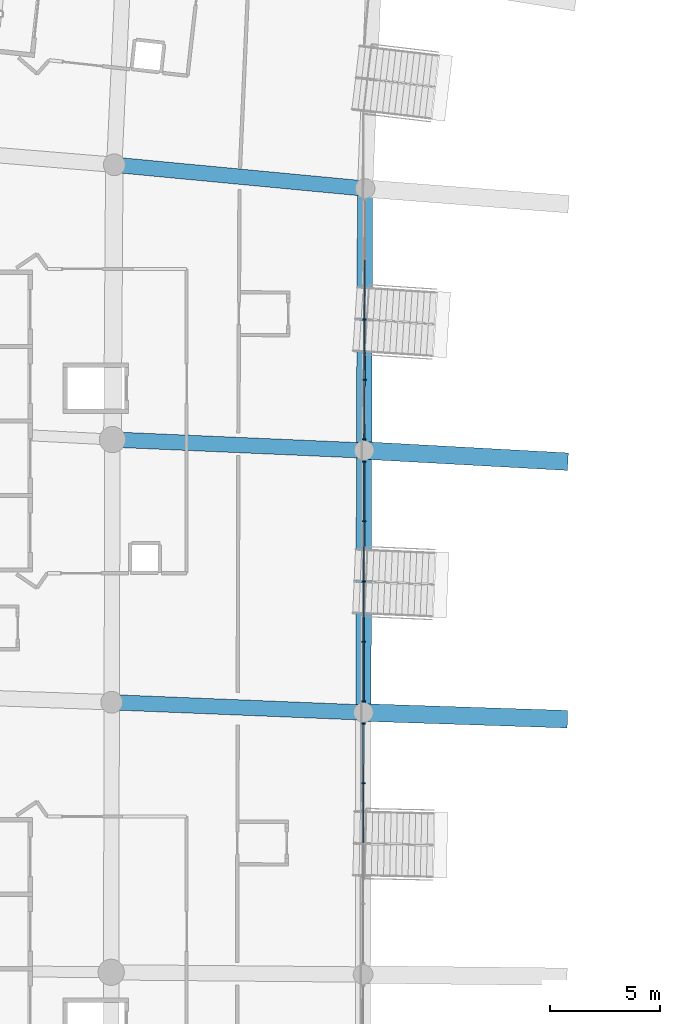
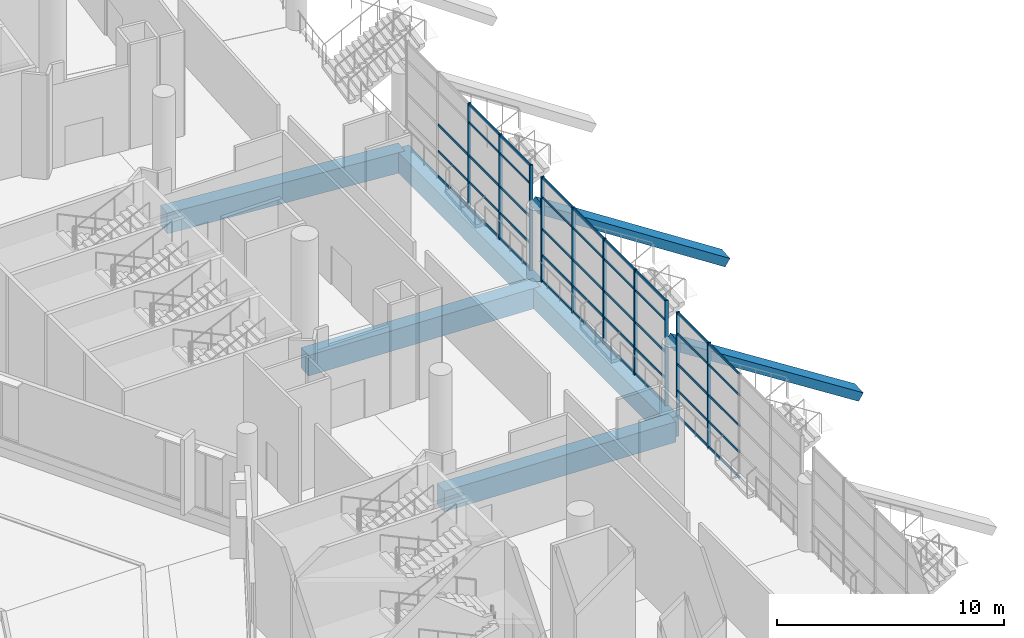
# One storey, part 15 of 173: 53 members, 7 beams, 3 elements without a shape of their own.
"""IFC4 building model written with IfcOpenShell, lengths in metres."""

from ifc_helpers import new_model, si_unit, direction, frame, origin, origin_2d, place, context, subcontext, project, spatial, rectangle, extrude, material, layer, layer_set, material_profile, profile_set, type_object, element, aggregate, save


model = new_model("IFC4")

# Units and contexts
model_context = context("Model", 3, precision=1e-05, world=origin(), true_north=direction((0.0, 1.0)))
body_context = subcontext(model_context, "Body", "Model", "MODEL_VIEW")
ifc_project = project(units=[si_unit("LENGTHUNIT", "METRE"), si_unit("AREAUNIT", "SQUARE_METRE"), si_unit("VOLUMEUNIT", "CUBIC_METRE"), si_unit("PLANEANGLEUNIT", "RADIAN"), si_unit("MASSUNIT", "GRAM", prefix="KILO")], contexts=[model_context])

# Site, building, storey
site_placement = place(None, origin())
site = spatial("IfcSite", under=ifc_project, at=site_placement, CompositionType="ELEMENT")
building_placement = place(site_placement, origin())
building = spatial("IfcBuilding", under=site, at=building_placement, Name="Meseta Stadium", CompositionType="ELEMENT")
storey_placement = place(building_placement, frame((0.0, 0.0, 18.0)))
storey = spatial("IfcBuildingStorey", under=building, at=storey_placement, Name="L03", CompositionType="ELEMENT", Elevation=18.0)

# Curtain wall, members
ifc_material_1 = material(Name="Aluminium", Category="aluminium")
ifc_layer = layer(ifc_material_1, 0.25)
ifc_layer_set = layer_set([ifc_layer], Name="Media Centre glazing curtain wall")
curtain_wall_type = type_object("IfcCurtainWallType", Name="Media Centre glazing curtain wall", PredefinedType="NOTDEFINED", material=ifc_layer_set)
curtain_wall_1_placement = place(storey_placement, origin())
curtain_wall_1 = element("IfcCurtainWall", 1, at=curtain_wall_1_placement, inside=storey, type_object=curtain_wall_type, Name="Media Centre glazing bay 29", PredefinedType="NOTDEFINED")
ifc_material_2 = material(Name="Aluminium", Category="aluminium")
ifc_material_profile_1 = material_profile(ifc_material_2, rectangle(XDim=0.159912109375, YDim=0.06005859375, at=origin_2d()), Name="CW 160x60")
ifc_profile_set_1 = profile_set([ifc_material_profile_1], Name="Aluminium")
member_type_1 = type_object("IfcMemberType", Name="CW mullion 60x160", PredefinedType="MULLION", material=ifc_profile_set_1)
member_1_placement = place(storey_placement, frame((-73.427978515625, 35.8828125, 0.0), z_axis=(0.0, 0.0, 1.0), x_axis=(0.999992414042, -0.003895107102, 0.0)))
member_1 = element("IfcMember", 2, at=member_1_placement, type_object=member_type_1, Name="CWM mullion 3", PredefinedType="MULLION", context=body_context, shape_type="SweptSolid", body=[
    extrude(rectangle(XDim=0.159912109375, YDim=0.06005859375, at=origin_2d()), origin(), (0.0, 0.0, 1.0), 5.64990234375),
])
member_2_placement = place(storey_placement, frame((-73.438720703125, 33.13330078125, 0.0), z_axis=(0.0, 0.0, 1.0), x_axis=(0.999992414042, -0.003895107102, 0.0)))
member_2 = element("IfcMember", 3, at=member_2_placement, type_object=member_type_1, Name="CWM mullion 4", PredefinedType="MULLION", context=body_context, shape_type="SweptSolid", body=[
    extrude(rectangle(XDim=0.159912109375, YDim=0.06005859375, at=origin_2d()), origin(), (0.0, 0.0, 1.0), 5.64990234375),
])
member_3_placement = place(storey_placement, frame((-73.44921875, 30.41357421875, 0.0), z_axis=(0.0, 0.0, 1.0), x_axis=(0.999992414042, -0.003895107102, 0.0)))
member_3 = element("IfcMember", 4, at=member_3_placement, type_object=member_type_1, Name="CWM mullion 5", PredefinedType="MULLION", context=body_context, shape_type="SweptSolid", body=[
    extrude(rectangle(XDim=0.159912109375, YDim=0.06005859375, at=origin_2d()), origin(), (0.0, 0.0, 1.0), 5.64990234375),
])

curtain_wall_2_placement = place(storey_placement, origin())
curtain_wall_2 = element("IfcCurtainWall", 5, at=curtain_wall_2_placement, inside=storey, type_object=curtain_wall_type, Name="Media Centre glazing bay 30", PredefinedType="NOTDEFINED")
member_4_placement = place(storey_placement, frame((-73.45263671875, 29.39453125, 0.0), z_axis=(0.0, 0.0, 1.0), x_axis=(0.999996605564, -0.002605544184, 0.0)))
member_4 = element("IfcMember", 6, at=member_4_placement, type_object=member_type_1, Name="CWM mullion 1", PredefinedType="MULLION", context=body_context, shape_type="SweptSolid", body=[
    extrude(rectangle(XDim=0.159912109375, YDim=0.06005859375, at=origin_2d()), origin(), (0.0, 0.0, 1.0), 5.64990234375),
])
member_5_placement = place(storey_placement, frame((-73.459716796875, 26.674072265625, 0.0), z_axis=(0.0, 0.0, 1.0), x_axis=(0.999996605564, -0.002605544184, 0.0)))
member_5 = element("IfcMember", 7, at=member_5_placement, type_object=member_type_1, Name="CWM mullion 2", PredefinedType="MULLION", context=body_context, shape_type="SweptSolid", body=[
    extrude(rectangle(XDim=0.159912109375, YDim=0.06005859375, at=origin_2d()), origin(), (0.0, 0.0, 1.0), 5.64990234375),
])
member_6_placement = place(storey_placement, frame((-73.466796875, 23.923583984375, 0.0), z_axis=(0.0, 0.0, 1.0), x_axis=(0.999996605564, -0.002605544184, 0.0)))
member_6 = element("IfcMember", 8, at=member_6_placement, type_object=member_type_1, Name="CWM mullion 3", PredefinedType="MULLION", context=body_context, shape_type="SweptSolid", body=[
    extrude(rectangle(XDim=0.159912109375, YDim=0.06005859375, at=origin_2d()), origin(), (0.0, 0.0, 1.0), 5.64990234375),
])
member_7_placement = place(storey_placement, frame((-73.47412109375, 21.173095703125, 0.0), z_axis=(0.0, 0.0, 1.0), x_axis=(0.999996605564, -0.002605544184, 0.0)))
member_7 = element("IfcMember", 9, at=member_7_placement, type_object=member_type_1, Name="CWM mullion 4", PredefinedType="MULLION", context=body_context, shape_type="SweptSolid", body=[
    extrude(rectangle(XDim=0.159912109375, YDim=0.06005859375, at=origin_2d()), origin(), (0.0, 0.0, 1.0), 5.64990234375),
])
member_8_placement = place(storey_placement, frame((-73.481201171875, 18.45263671875, 0.0), z_axis=(0.0, 0.0, 1.0), x_axis=(0.999996605564, -0.002605544184, 0.0)))
member_8 = element("IfcMember", 10, at=member_8_placement, type_object=member_type_1, Name="CWM mullion 5", PredefinedType="MULLION", context=body_context, shape_type="SweptSolid", body=[
    extrude(rectangle(XDim=0.159912109375, YDim=0.06005859375, at=origin_2d()), origin(), (0.0, 0.0, 1.0), 5.64990234375),
])

curtain_wall_3_placement = place(storey_placement, origin())
curtain_wall_3 = element("IfcCurtainWall", 11, at=curtain_wall_3_placement, inside=storey, type_object=curtain_wall_type, Name="Media Centre glazing bay 31", PredefinedType="NOTDEFINED")
member_9_placement = place(storey_placement, frame((-73.483154296875, 17.434326171875, 0.0), z_axis=(0.0, 0.0, 1.0), x_axis=(0.999999147931, -0.001305425729, 0.0)))
member_9 = element("IfcMember", 12, at=member_9_placement, type_object=member_type_1, Name="CWM mullion 1", PredefinedType="MULLION", context=body_context, shape_type="SweptSolid", body=[
    extrude(rectangle(XDim=0.159912109375, YDim=0.06005859375, at=origin_2d()), origin(), (0.0, 0.0, 1.0), 5.64990234375),
])
member_10_placement = place(storey_placement, frame((-73.486572265625, 14.71337890625, 0.0), z_axis=(0.0, 0.0, 1.0), x_axis=(0.999999147931, -0.001305425729, 0.0)))
member_10 = element("IfcMember", 13, at=member_10_placement, type_object=member_type_1, Name="CWM mullion 2", PredefinedType="MULLION", context=body_context, shape_type="SweptSolid", body=[
    extrude(rectangle(XDim=0.159912109375, YDim=0.06005859375, at=origin_2d()), origin(), (0.0, 0.0, 1.0), 5.64990234375),
])

# Member
ifc_material_3 = material(Name="Aluminium", Category="aluminium")
ifc_material_profile_2 = material_profile(ifc_material_3, rectangle(XDim=0.06005859375, YDim=0.1201171875, at=origin_2d()), Name="CW 60x120")
ifc_profile_set_2 = profile_set([ifc_material_profile_2], Name="Aluminium")
member_type_2 = type_object("IfcMemberType", Name="CW transom 60x120", PredefinedType="USERDEFINED", material=ifc_profile_set_2)
member_11_placement = place(storey_placement, frame((-73.41748046875, 38.602294921875, 0.06005859375), z_axis=(-0.00390338348, -0.99999238177, 0.0), x_axis=(0.99999238177, -0.00390338348, 0.0)))
member_11 = element("IfcMember", 14, at=member_11_placement, type_object=member_type_2, Name="CWM transom 2.1", ObjectType="TRANSOM", PredefinedType="USERDEFINED", context=body_context, shape_type="SweptSolid", body=[
    extrude(rectangle(XDim=0.06005859375, YDim=0.1201171875, at=origin_2d()), origin(), (0.0, 0.0, 1.0), 2.689453125),
])

member_12_placement = place(storey_placement, frame((-73.41748046875, 38.602294921875, 1.41259765625), z_axis=(-0.00390338348, -0.99999238177, 0.0), x_axis=(0.99999238177, -0.00390338348, 0.0)))
member_12 = element("IfcMember", 15, at=member_12_placement, type_object=member_type_2, Name="CWM transom 2.2", ObjectType="TRANSOM", PredefinedType="USERDEFINED", context=body_context, shape_type="SweptSolid", body=[
    extrude(rectangle(XDim=0.06005859375, YDim=0.1201171875, at=origin_2d()), origin(), (0.0, 0.0, 1.0), 2.689453125),
])

member_13_placement = place(storey_placement, frame((-73.41748046875, 38.602294921875, 2.824951171875), z_axis=(-0.00390338348, -0.99999238177, 0.0), x_axis=(0.99999238177, -0.00390338348, 0.0)))
member_13 = element("IfcMember", 16, at=member_13_placement, type_object=member_type_2, Name="CWM transom 2.3", ObjectType="TRANSOM", PredefinedType="USERDEFINED", context=body_context, shape_type="SweptSolid", body=[
    extrude(rectangle(XDim=0.06005859375, YDim=0.1201171875, at=origin_2d()), origin(), (0.0, 0.0, 1.0), 2.689453125),
])

member_14_placement = place(storey_placement, frame((-73.427978515625, 35.852783203125, 0.06005859375), z_axis=(-0.00390338348, -0.99999238177, 0.0), x_axis=(0.99999238177, -0.00390338348, 0.0)))
member_14 = element("IfcMember", 17, at=member_14_placement, type_object=member_type_2, Name="CWM transom 3.1", ObjectType="TRANSOM", PredefinedType="USERDEFINED", context=body_context, shape_type="SweptSolid", body=[
    extrude(rectangle(XDim=0.06005859375, YDim=0.1201171875, at=origin_2d()), origin(), (0.0, 0.0, 1.0), 2.689453125),
])

member_15_placement = place(storey_placement, frame((-73.427978515625, 35.852783203125, 1.41259765625), z_axis=(-0.00390338348, -0.99999238177, 0.0), x_axis=(0.99999238177, -0.00390338348, 0.0)))
member_15 = element("IfcMember", 18, at=member_15_placement, type_object=member_type_2, Name="CWM transom 3.2", ObjectType="TRANSOM", PredefinedType="USERDEFINED", context=body_context, shape_type="SweptSolid", body=[
    extrude(rectangle(XDim=0.06005859375, YDim=0.1201171875, at=origin_2d()), origin(), (0.0, 0.0, 1.0), 2.689453125),
])

member_16_placement = place(storey_placement, frame((-73.427978515625, 35.852783203125, 2.824951171875), z_axis=(-0.00390338348, -0.99999238177, 0.0), x_axis=(0.99999238177, -0.00390338348, 0.0)))
member_16 = element("IfcMember", 19, at=member_16_placement, type_object=member_type_2, Name="CWM transom 3.3", ObjectType="TRANSOM", PredefinedType="USERDEFINED", context=body_context, shape_type="SweptSolid", body=[
    extrude(rectangle(XDim=0.06005859375, YDim=0.1201171875, at=origin_2d()), origin(), (0.0, 0.0, 1.0), 2.689453125),
])

member_17_placement = place(storey_placement, frame((-73.427978515625, 35.852783203125, 4.609130859375), z_axis=(-0.00390338348, -0.99999238177, 0.0), x_axis=(0.99999238177, -0.00390338348, 0.0)))
member_17 = element("IfcMember", 20, at=member_17_placement, type_object=member_type_2, Name="CWM transom 3.4", ObjectType="TRANSOM", PredefinedType="USERDEFINED", context=body_context, shape_type="SweptSolid", body=[
    extrude(rectangle(XDim=0.06005859375, YDim=0.1201171875, at=origin_2d()), origin(), (0.0, 0.0, 1.0), 2.689453125),
])

member_18_placement = place(storey_placement, frame((-73.427978515625, 35.852783203125, 5.590087890625), z_axis=(-0.00390338348, -0.99999238177, 0.0), x_axis=(0.99999238177, -0.00390338348, 0.0)))
member_18 = element("IfcMember", 21, at=member_18_placement, type_object=member_type_2, Name="CWM transom 3.5", ObjectType="TRANSOM", PredefinedType="USERDEFINED", context=body_context, shape_type="SweptSolid", body=[
    extrude(rectangle(XDim=0.06005859375, YDim=0.1201171875, at=origin_2d()), origin(), (0.0, 0.0, 1.0), 2.689453125),
])

member_19_placement = place(storey_placement, frame((-73.438720703125, 33.103271484375, 0.06005859375), z_axis=(-0.003947096111, -0.999992210186, 0.0), x_axis=(0.999992210186, -0.003947096111, 0.0)))
member_19 = element("IfcMember", 22, at=member_19_placement, type_object=member_type_2, Name="CWM transom 4.1", ObjectType="TRANSOM", PredefinedType="USERDEFINED", context=body_context, shape_type="SweptSolid", body=[
    extrude(rectangle(XDim=0.06005859375, YDim=0.1201171875, at=origin_2d()), origin(), (0.0, 0.0, 1.0), 2.65966796875),
])

member_20_placement = place(storey_placement, frame((-73.438720703125, 33.103271484375, 1.41259765625), z_axis=(-0.003947096111, -0.999992210186, 0.0), x_axis=(0.999992210186, -0.003947096111, 0.0)))
member_20 = element("IfcMember", 23, at=member_20_placement, type_object=member_type_2, Name="CWM transom 4.2", ObjectType="TRANSOM", PredefinedType="USERDEFINED", context=body_context, shape_type="SweptSolid", body=[
    extrude(rectangle(XDim=0.06005859375, YDim=0.1201171875, at=origin_2d()), origin(), (0.0, 0.0, 1.0), 2.65966796875),
])

member_21_placement = place(storey_placement, frame((-73.438720703125, 33.103271484375, 2.824951171875), z_axis=(-0.003947096111, -0.999992210186, 0.0), x_axis=(0.999992210186, -0.003947096111, 0.0)))
member_21 = element("IfcMember", 24, at=member_21_placement, type_object=member_type_2, Name="CWM transom 4.3", ObjectType="TRANSOM", PredefinedType="USERDEFINED", context=body_context, shape_type="SweptSolid", body=[
    extrude(rectangle(XDim=0.06005859375, YDim=0.1201171875, at=origin_2d()), origin(), (0.0, 0.0, 1.0), 2.65966796875),
])

member_22_placement = place(storey_placement, frame((-73.438720703125, 33.103271484375, 4.609130859375), z_axis=(-0.003947096111, -0.999992210186, 0.0), x_axis=(0.999992210186, -0.003947096111, 0.0)))
member_22 = element("IfcMember", 25, at=member_22_placement, type_object=member_type_2, Name="CWM transom 4.4", ObjectType="TRANSOM", PredefinedType="USERDEFINED", context=body_context, shape_type="SweptSolid", body=[
    extrude(rectangle(XDim=0.06005859375, YDim=0.1201171875, at=origin_2d()), origin(), (0.0, 0.0, 1.0), 2.65966796875),
])

member_23_placement = place(storey_placement, frame((-73.438720703125, 33.103271484375, 5.590087890625), z_axis=(-0.003947096111, -0.999992210186, 0.0), x_axis=(0.999992210186, -0.003947096111, 0.0)))
member_23 = element("IfcMember", 26, at=member_23_placement, type_object=member_type_2, Name="CWM transom 4.5", ObjectType="TRANSOM", PredefinedType="USERDEFINED", context=body_context, shape_type="SweptSolid", body=[
    extrude(rectangle(XDim=0.06005859375, YDim=0.1201171875, at=origin_2d()), origin(), (0.0, 0.0, 1.0), 2.65966796875),
])

aggregate(curtain_wall_1, [member_1, member_2, member_3, member_11, member_12, member_13, member_14, member_15, member_16, member_17, member_18, member_19, member_20, member_21, member_22, member_23])

member_24_placement = place(storey_placement, frame((-73.45263671875, 29.364501953125, 0.06005859375), z_axis=(-0.002661273498, -0.999996458805, 0.0), x_axis=(0.999996458805, -0.002661273498, 0.0)))
member_24 = element("IfcMember", 27, at=member_24_placement, type_object=member_type_2, Name="CWM transom 1.1", ObjectType="TRANSOM", PredefinedType="USERDEFINED", context=body_context, shape_type="SweptSolid", body=[
    extrude(rectangle(XDim=0.06005859375, YDim=0.1201171875, at=origin_2d()), origin(), (0.0, 0.0, 1.0), 2.660400390625),
])

member_25_placement = place(storey_placement, frame((-73.45263671875, 29.364501953125, 1.41259765625), z_axis=(-0.002661273498, -0.999996458805, 0.0), x_axis=(0.999996458805, -0.002661273498, 0.0)))
member_25 = element("IfcMember", 28, at=member_25_placement, type_object=member_type_2, Name="CWM transom 1.2", ObjectType="TRANSOM", PredefinedType="USERDEFINED", context=body_context, shape_type="SweptSolid", body=[
    extrude(rectangle(XDim=0.06005859375, YDim=0.1201171875, at=origin_2d()), origin(), (0.0, 0.0, 1.0), 2.660400390625),
])

member_26_placement = place(storey_placement, frame((-73.45263671875, 29.364501953125, 2.824951171875), z_axis=(-0.002661273498, -0.999996458805, 0.0), x_axis=(0.999996458805, -0.002661273498, 0.0)))
member_26 = element("IfcMember", 29, at=member_26_placement, type_object=member_type_2, Name="CWM transom 1.3", ObjectType="TRANSOM", PredefinedType="USERDEFINED", context=body_context, shape_type="SweptSolid", body=[
    extrude(rectangle(XDim=0.06005859375, YDim=0.1201171875, at=origin_2d()), origin(), (0.0, 0.0, 1.0), 2.660400390625),
])

member_27_placement = place(storey_placement, frame((-73.45263671875, 29.364501953125, 4.53857421875), z_axis=(-0.002661273498, -0.999996458805, 0.0), x_axis=(0.999996458805, -0.002661273498, 0.0)))
member_27 = element("IfcMember", 30, at=member_27_placement, type_object=member_type_2, Name="CWM transom 1.4", ObjectType="TRANSOM", PredefinedType="USERDEFINED", context=body_context, shape_type="SweptSolid", body=[
    extrude(rectangle(XDim=0.06005859375, YDim=0.1201171875, at=origin_2d()), origin(), (0.0, 0.0, 1.0), 2.660400390625),
])

member_28_placement = place(storey_placement, frame((-73.45263671875, 29.364501953125, 5.590087890625), z_axis=(-0.002661273498, -0.999996458805, 0.0), x_axis=(0.999996458805, -0.002661273498, 0.0)))
member_28 = element("IfcMember", 31, at=member_28_placement, type_object=member_type_2, Name="CWM transom 1.5", ObjectType="TRANSOM", PredefinedType="USERDEFINED", context=body_context, shape_type="SweptSolid", body=[
    extrude(rectangle(XDim=0.06005859375, YDim=0.1201171875, at=origin_2d()), origin(), (0.0, 0.0, 1.0), 2.660400390625),
])

member_29_placement = place(storey_placement, frame((-73.459716796875, 26.64404296875, 0.06005859375), z_axis=(-0.002631569835, -0.999996537414, 0.0), x_axis=(0.999996537414, -0.002631569835, 0.0)))
member_29 = element("IfcMember", 32, at=member_29_placement, type_object=member_type_2, Name="CWM transom 2.1", ObjectType="TRANSOM", PredefinedType="USERDEFINED", context=body_context, shape_type="SweptSolid", body=[
    extrude(rectangle(XDim=0.06005859375, YDim=0.1201171875, at=origin_2d()), origin(), (0.0, 0.0, 1.0), 2.6904296875),
])

member_30_placement = place(storey_placement, frame((-73.459716796875, 26.64404296875, 1.41259765625), z_axis=(-0.002631569835, -0.999996537414, 0.0), x_axis=(0.999996537414, -0.002631569835, 0.0)))
member_30 = element("IfcMember", 33, at=member_30_placement, type_object=member_type_2, Name="CWM transom 2.2", ObjectType="TRANSOM", PredefinedType="USERDEFINED", context=body_context, shape_type="SweptSolid", body=[
    extrude(rectangle(XDim=0.06005859375, YDim=0.1201171875, at=origin_2d()), origin(), (0.0, 0.0, 1.0), 2.6904296875),
])

member_31_placement = place(storey_placement, frame((-73.459716796875, 26.64404296875, 2.824951171875), z_axis=(-0.002631569835, -0.999996537414, 0.0), x_axis=(0.999996537414, -0.002631569835, 0.0)))
member_31 = element("IfcMember", 34, at=member_31_placement, type_object=member_type_2, Name="CWM transom 2.3", ObjectType="TRANSOM", PredefinedType="USERDEFINED", context=body_context, shape_type="SweptSolid", body=[
    extrude(rectangle(XDim=0.06005859375, YDim=0.1201171875, at=origin_2d()), origin(), (0.0, 0.0, 1.0), 2.6904296875),
])

member_32_placement = place(storey_placement, frame((-73.459716796875, 26.64404296875, 4.53857421875), z_axis=(-0.002631569835, -0.999996537414, 0.0), x_axis=(0.999996537414, -0.002631569835, 0.0)))
member_32 = element("IfcMember", 35, at=member_32_placement, type_object=member_type_2, Name="CWM transom 2.4", ObjectType="TRANSOM", PredefinedType="USERDEFINED", context=body_context, shape_type="SweptSolid", body=[
    extrude(rectangle(XDim=0.06005859375, YDim=0.1201171875, at=origin_2d()), origin(), (0.0, 0.0, 1.0), 2.6904296875),
])

member_33_placement = place(storey_placement, frame((-73.459716796875, 26.64404296875, 5.590087890625), z_axis=(-0.002631569835, -0.999996537414, 0.0), x_axis=(0.999996537414, -0.002631569835, 0.0)))
member_33 = element("IfcMember", 36, at=member_33_placement, type_object=member_type_2, Name="CWM transom 2.5", ObjectType="TRANSOM", PredefinedType="USERDEFINED", context=body_context, shape_type="SweptSolid", body=[
    extrude(rectangle(XDim=0.06005859375, YDim=0.1201171875, at=origin_2d()), origin(), (0.0, 0.0, 1.0), 2.6904296875),
])

member_34_placement = place(storey_placement, frame((-73.467041015625, 23.8935546875, 0.06005859375), z_axis=(-0.002540826644, -0.999996772095, 0.0), x_axis=(0.999996772095, -0.002540826644, 0.0)))
member_34 = element("IfcMember", 37, at=member_34_placement, type_object=member_type_2, Name="CWM transom 3.1", ObjectType="TRANSOM", PredefinedType="USERDEFINED", context=body_context, shape_type="SweptSolid", body=[
    extrude(rectangle(XDim=0.06005859375, YDim=0.1201171875, at=origin_2d()), origin(), (0.0, 0.0, 1.0), 2.6904296875),
])

member_35_placement = place(storey_placement, frame((-73.467041015625, 23.8935546875, 1.41259765625), z_axis=(-0.002540826644, -0.999996772095, 0.0), x_axis=(0.999996772095, -0.002540826644, 0.0)))
member_35 = element("IfcMember", 38, at=member_35_placement, type_object=member_type_2, Name="CWM transom 3.2", ObjectType="TRANSOM", PredefinedType="USERDEFINED", context=body_context, shape_type="SweptSolid", body=[
    extrude(rectangle(XDim=0.06005859375, YDim=0.1201171875, at=origin_2d()), origin(), (0.0, 0.0, 1.0), 2.6904296875),
])

member_36_placement = place(storey_placement, frame((-73.467041015625, 23.8935546875, 2.824951171875), z_axis=(-0.002540826644, -0.999996772095, 0.0), x_axis=(0.999996772095, -0.002540826644, 0.0)))
member_36 = element("IfcMember", 39, at=member_36_placement, type_object=member_type_2, Name="CWM transom 3.3", ObjectType="TRANSOM", PredefinedType="USERDEFINED", context=body_context, shape_type="SweptSolid", body=[
    extrude(rectangle(XDim=0.06005859375, YDim=0.1201171875, at=origin_2d()), origin(), (0.0, 0.0, 1.0), 2.6904296875),
])

member_37_placement = place(storey_placement, frame((-73.467041015625, 23.8935546875, 4.53857421875), z_axis=(-0.002540826644, -0.999996772095, 0.0), x_axis=(0.999996772095, -0.002540826644, 0.0)))
member_37 = element("IfcMember", 40, at=member_37_placement, type_object=member_type_2, Name="CWM transom 3.4", ObjectType="TRANSOM", PredefinedType="USERDEFINED", context=body_context, shape_type="SweptSolid", body=[
    extrude(rectangle(XDim=0.06005859375, YDim=0.1201171875, at=origin_2d()), origin(), (0.0, 0.0, 1.0), 2.6904296875),
])

member_38_placement = place(storey_placement, frame((-73.467041015625, 23.8935546875, 5.590087890625), z_axis=(-0.002540826644, -0.999996772095, 0.0), x_axis=(0.999996772095, -0.002540826644, 0.0)))
member_38 = element("IfcMember", 41, at=member_38_placement, type_object=member_type_2, Name="CWM transom 3.5", ObjectType="TRANSOM", PredefinedType="USERDEFINED", context=body_context, shape_type="SweptSolid", body=[
    extrude(rectangle(XDim=0.06005859375, YDim=0.1201171875, at=origin_2d()), origin(), (0.0, 0.0, 1.0), 2.6904296875),
])

member_39_placement = place(storey_placement, frame((-73.47412109375, 21.14306640625, 0.06005859375), z_axis=(-0.002569506063, -0.999996698814, 0.0), x_axis=(0.999996698814, -0.002569506063, 0.0)))
member_39 = element("IfcMember", 42, at=member_39_placement, type_object=member_type_2, Name="CWM transom 4.1", ObjectType="TRANSOM", PredefinedType="USERDEFINED", context=body_context, shape_type="SweptSolid", body=[
    extrude(rectangle(XDim=0.06005859375, YDim=0.1201171875, at=origin_2d()), origin(), (0.0, 0.0, 1.0), 2.660400390625),
])

member_40_placement = place(storey_placement, frame((-73.47412109375, 21.14306640625, 1.41259765625), z_axis=(-0.002569506063, -0.999996698814, 0.0), x_axis=(0.999996698814, -0.002569506063, 0.0)))
member_40 = element("IfcMember", 43, at=member_40_placement, type_object=member_type_2, Name="CWM transom 4.2", ObjectType="TRANSOM", PredefinedType="USERDEFINED", context=body_context, shape_type="SweptSolid", body=[
    extrude(rectangle(XDim=0.06005859375, YDim=0.1201171875, at=origin_2d()), origin(), (0.0, 0.0, 1.0), 2.660400390625),
])

member_41_placement = place(storey_placement, frame((-73.47412109375, 21.14306640625, 2.824951171875), z_axis=(-0.002569506063, -0.999996698814, 0.0), x_axis=(0.999996698814, -0.002569506063, 0.0)))
member_41 = element("IfcMember", 44, at=member_41_placement, type_object=member_type_2, Name="CWM transom 4.3", ObjectType="TRANSOM", PredefinedType="USERDEFINED", context=body_context, shape_type="SweptSolid", body=[
    extrude(rectangle(XDim=0.06005859375, YDim=0.1201171875, at=origin_2d()), origin(), (0.0, 0.0, 1.0), 2.660400390625),
])

member_42_placement = place(storey_placement, frame((-73.47412109375, 21.14306640625, 4.53857421875), z_axis=(-0.002569506063, -0.999996698814, 0.0), x_axis=(0.999996698814, -0.002569506063, 0.0)))
member_42 = element("IfcMember", 45, at=member_42_placement, type_object=member_type_2, Name="CWM transom 4.4", ObjectType="TRANSOM", PredefinedType="USERDEFINED", context=body_context, shape_type="SweptSolid", body=[
    extrude(rectangle(XDim=0.06005859375, YDim=0.1201171875, at=origin_2d()), origin(), (0.0, 0.0, 1.0), 2.660400390625),
])

member_43_placement = place(storey_placement, frame((-73.47412109375, 21.14306640625, 5.590087890625), z_axis=(-0.002569506063, -0.999996698814, 0.0), x_axis=(0.999996698814, -0.002569506063, 0.0)))
member_43 = element("IfcMember", 46, at=member_43_placement, type_object=member_type_2, Name="CWM transom 4.5", ObjectType="TRANSOM", PredefinedType="USERDEFINED", context=body_context, shape_type="SweptSolid", body=[
    extrude(rectangle(XDim=0.06005859375, YDim=0.1201171875, at=origin_2d()), origin(), (0.0, 0.0, 1.0), 2.660400390625),
])

aggregate(curtain_wall_2, [member_4, member_5, member_6, member_7, member_8, member_24, member_25, member_26, member_27, member_28, member_29, member_30, member_31, member_32, member_33, member_34, member_35, member_36, member_37, member_38, member_39, member_40, member_41, member_42, member_43])

member_44_placement = place(storey_placement, frame((-73.483154296875, 17.404296875, 0.06005859375), z_axis=(-0.001284520456, -0.999999175003, 0.0), x_axis=(0.999999175003, -0.001284520456, 0.0)))
member_44 = element("IfcMember", 47, at=member_44_placement, type_object=member_type_2, Name="CWM transom 1.1", ObjectType="TRANSOM", PredefinedType="USERDEFINED", context=body_context, shape_type="SweptSolid", body=[
    extrude(rectangle(XDim=0.06005859375, YDim=0.1201171875, at=origin_2d()), origin(), (0.0, 0.0, 1.0), 2.660888671875),
])

member_45_placement = place(storey_placement, frame((-73.483154296875, 17.404296875, 1.41259765625), z_axis=(-0.001284520456, -0.999999175003, 0.0), x_axis=(0.999999175003, -0.001284520456, 0.0)))
member_45 = element("IfcMember", 48, at=member_45_placement, type_object=member_type_2, Name="CWM transom 1.2", ObjectType="TRANSOM", PredefinedType="USERDEFINED", context=body_context, shape_type="SweptSolid", body=[
    extrude(rectangle(XDim=0.06005859375, YDim=0.1201171875, at=origin_2d()), origin(), (0.0, 0.0, 1.0), 2.660888671875),
])

member_46_placement = place(storey_placement, frame((-73.483154296875, 17.404296875, 2.824951171875), z_axis=(-0.001284520456, -0.999999175003, 0.0), x_axis=(0.999999175003, -0.001284520456, 0.0)))
member_46 = element("IfcMember", 49, at=member_46_placement, type_object=member_type_2, Name="CWM transom 1.3", ObjectType="TRANSOM", PredefinedType="USERDEFINED", context=body_context, shape_type="SweptSolid", body=[
    extrude(rectangle(XDim=0.06005859375, YDim=0.1201171875, at=origin_2d()), origin(), (0.0, 0.0, 1.0), 2.660888671875),
])

member_47_placement = place(storey_placement, frame((-73.483154296875, 17.404296875, 4.4677734375), z_axis=(-0.001284520456, -0.999999175003, 0.0), x_axis=(0.999999175003, -0.001284520456, 0.0)))
member_47 = element("IfcMember", 50, at=member_47_placement, type_object=member_type_2, Name="CWM transom 1.4", ObjectType="TRANSOM", PredefinedType="USERDEFINED", context=body_context, shape_type="SweptSolid", body=[
    extrude(rectangle(XDim=0.06005859375, YDim=0.1201171875, at=origin_2d()), origin(), (0.0, 0.0, 1.0), 2.660888671875),
])

member_48_placement = place(storey_placement, frame((-73.483154296875, 17.404296875, 5.590087890625), z_axis=(-0.001284520456, -0.999999175003, 0.0), x_axis=(0.999999175003, -0.001284520456, 0.0)))
member_48 = element("IfcMember", 51, at=member_48_placement, type_object=member_type_2, Name="CWM transom 1.5", ObjectType="TRANSOM", PredefinedType="USERDEFINED", context=body_context, shape_type="SweptSolid", body=[
    extrude(rectangle(XDim=0.06005859375, YDim=0.1201171875, at=origin_2d()), origin(), (0.0, 0.0, 1.0), 2.660888671875),
])

member_49_placement = place(storey_placement, frame((-73.486572265625, 14.683349609375, 0.06005859375), z_axis=(-0.001360789813, -0.999999074125, 0.0), x_axis=(0.999999074125, -0.001360789813, 0.0)))
member_49 = element("IfcMember", 52, at=member_49_placement, type_object=member_type_2, Name="CWM transom 2.1", ObjectType="TRANSOM", PredefinedType="USERDEFINED", context=body_context, shape_type="SweptSolid", body=[
    extrude(rectangle(XDim=0.06005859375, YDim=0.1201171875, at=origin_2d()), origin(), (0.0, 0.0, 1.0), 2.691162109375),
])

member_50_placement = place(storey_placement, frame((-73.486572265625, 14.683349609375, 1.41259765625), z_axis=(-0.001360789813, -0.999999074125, 0.0), x_axis=(0.999999074125, -0.001360789813, 0.0)))
member_50 = element("IfcMember", 53, at=member_50_placement, type_object=member_type_2, Name="CWM transom 2.2", ObjectType="TRANSOM", PredefinedType="USERDEFINED", context=body_context, shape_type="SweptSolid", body=[
    extrude(rectangle(XDim=0.06005859375, YDim=0.1201171875, at=origin_2d()), origin(), (0.0, 0.0, 1.0), 2.691162109375),
])

member_51_placement = place(storey_placement, frame((-73.486572265625, 14.683349609375, 2.824951171875), z_axis=(-0.001360789813, -0.999999074125, 0.0), x_axis=(0.999999074125, -0.001360789813, 0.0)))
member_51 = element("IfcMember", 54, at=member_51_placement, type_object=member_type_2, Name="CWM transom 2.3", ObjectType="TRANSOM", PredefinedType="USERDEFINED", context=body_context, shape_type="SweptSolid", body=[
    extrude(rectangle(XDim=0.06005859375, YDim=0.1201171875, at=origin_2d()), origin(), (0.0, 0.0, 1.0), 2.691162109375),
])

member_52_placement = place(storey_placement, frame((-73.486572265625, 14.683349609375, 4.4677734375), z_axis=(-0.001360789813, -0.999999074125, 0.0), x_axis=(0.999999074125, -0.001360789813, 0.0)))
member_52 = element("IfcMember", 55, at=member_52_placement, type_object=member_type_2, Name="CWM transom 2.4", ObjectType="TRANSOM", PredefinedType="USERDEFINED", context=body_context, shape_type="SweptSolid", body=[
    extrude(rectangle(XDim=0.06005859375, YDim=0.1201171875, at=origin_2d()), origin(), (0.0, 0.0, 1.0), 2.691162109375),
])

member_53_placement = place(storey_placement, frame((-73.486572265625, 14.683349609375, 5.590087890625), z_axis=(-0.001360789813, -0.999999074125, 0.0), x_axis=(0.999999074125, -0.001360789813, 0.0)))
member_53 = element("IfcMember", 56, at=member_53_placement, type_object=member_type_2, Name="CWM transom 2.5", ObjectType="TRANSOM", PredefinedType="USERDEFINED", context=body_context, shape_type="SweptSolid", body=[
    extrude(rectangle(XDim=0.06005859375, YDim=0.1201171875, at=origin_2d()), origin(), (0.0, 0.0, 1.0), 2.691162109375),
])

aggregate(curtain_wall_3, [member_9, member_10, member_44, member_45, member_46, member_47, member_48, member_49, member_50, member_51, member_52, member_53])

# Beams
ifc_material_4 = material(Name="Concrete C40/50", Category="concrete")
ifc_material_profile_3 = material_profile(ifc_material_4, rectangle(XDim=0.699951171875, YDim=1.10009765625, at=origin_2d()), Name="RC 700x1100")
ifc_profile_set_3 = profile_set([ifc_material_profile_3], Name="Concrete C40/50")
beam_type_1 = type_object("IfcBeamType", Name="RC beam 700x1100", PredefinedType="BEAM", material=ifc_profile_set_3)
beam_1_placement = place(storey_placement, frame((-73.40478515625, 41.8623046875, -0.89990234375), z_axis=(-0.003899441576, -0.999992397149, 0.0), x_axis=(0.999992397149, -0.003899441576, 0.0)))
element("IfcBeam", 57, at=beam_1_placement, inside=storey, type_object=beam_type_1, Name="L03 ring beam frame 29 line E", PredefinedType="BEAM", context=body_context, shape_type="SweptSolid", body=[
    extrude(rectangle(XDim=0.699951171875, YDim=1.10009765625, at=origin_2d()), origin(), (0.0, 0.0, 1.0), 11.958251953125),
])
beam_2_placement = place(storey_placement, frame((-73.451416015625, 29.904052734375, -0.89990234375), z_axis=(-0.002592357078, -0.999996639837, 0.0), x_axis=(0.999996639837, -0.002592357078, 0.0)))
element("IfcBeam", 58, at=beam_2_placement, inside=storey, type_object=beam_type_1, Name="L03 ring beam frame 30 line E", PredefinedType="BEAM", context=body_context, shape_type="SweptSolid", body=[
    extrude(rectangle(XDim=0.699951171875, YDim=1.10009765625, at=origin_2d()), origin(), (0.0, 0.0, 1.0), 11.96044921875),
])
beam_3_placement = place(storey_placement, frame((-73.40478515625, 41.8623046875, -0.89990234375), z_axis=(-0.995530039578, 0.094445435561, 0.0), x_axis=(-0.094445435561, -0.995530039578, 0.0)))
element("IfcBeam", 59, at=beam_3_placement, inside=storey, type_object=beam_type_1, Name="L03 radial beam frame 29 line E to P", PredefinedType="BEAM", context=body_context, shape_type="SweptSolid", body=[
    extrude(rectangle(XDim=0.699951171875, YDim=1.10009765625, at=origin_2d()), origin(), (0.0, 0.0, 1.0), 11.500732421875),
])
for number, where, z_axis, x_axis, name in (
    (60, (-73.451416015625, 29.904052734375, -0.89990234375), (-0.999054395094, 0.04347776033, 0.0), (-0.04347776033, -0.999054395094, 0.0), "L03 radial beam frame 30 line E to P"),
    (61, (-73.482421875, 17.943603515625, -0.89990234375), (-0.999175011921, 0.040611519947, 0.0), (-0.040611519947, -0.999175011921, 0.0), "L03 radial beam frame 31 line E to P"),
):
    element("IfcBeam", number, at=place(storey_placement, frame(where, z_axis=z_axis, x_axis=x_axis)), inside=storey, type_object=beam_type_1, Name=name, PredefinedType="BEAM", context=body_context, shape_type="SweptSolid", body=[
        extrude(rectangle(XDim=0.699951171875, YDim=1.10009765625, at=origin_2d()), origin(), (0.0, 0.0, 1.0), 11.500244140625),
    ])
ifc_material_5 = material(Name="Concrete C40/50", Category="concrete")
ifc_material_profile_4 = material_profile(ifc_material_5, rectangle(XDim=0.800048828125, YDim=0.449951171875, at=origin_2d()), Name="RC 800x450")
ifc_profile_set_4 = profile_set([ifc_material_profile_4], Name="Concrete C40/50")
beam_type_2 = type_object("IfcBeamType", Name="RC raker upper rear 800x450", PredefinedType="USERDEFINED", material=ifc_profile_set_4)
beam_4_placement = place(storey_placement, frame((-64.26513671875, 29.400390625, -1.9619140625), z_axis=(-0.846738668341, 0.046424691652, 0.529979599174), x_axis=(-0.054745427775, -0.998500344586, 0.0)))
element("IfcBeam", 62, at=beam_4_placement, inside=storey, type_object=beam_type_2, Name="Raker upper rear frame 30 upper tier", ObjectType="RAKER", PredefinedType="USERDEFINED", context=body_context, shape_type="SweptSolid", body=[
    extrude(rectangle(XDim=0.800048828125, YDim=0.449951171875, at=origin_2d()), origin(), (0.0, 0.0, 1.0), 10.84912109375),
])
beam_5_placement = place(storey_placement, frame((-64.287353515625, 17.64111328125, -2.038818359375), z_axis=(-0.84756113567, 0.027882225184, 0.529964812814), x_axis=(-0.032879221322, -0.999459332242, 0.0)))
element("IfcBeam", 63, at=beam_5_placement, inside=storey, type_object=beam_type_2, Name="Raker upper rear frame 31 upper tier", ObjectType="RAKER", PredefinedType="USERDEFINED", context=body_context, shape_type="SweptSolid", body=[
    extrude(rectangle(XDim=0.800048828125, YDim=0.449951171875, at=origin_2d()), origin(), (0.0, 0.0, 1.0), 10.848876953125),
])

save(model, "model.ifc")
